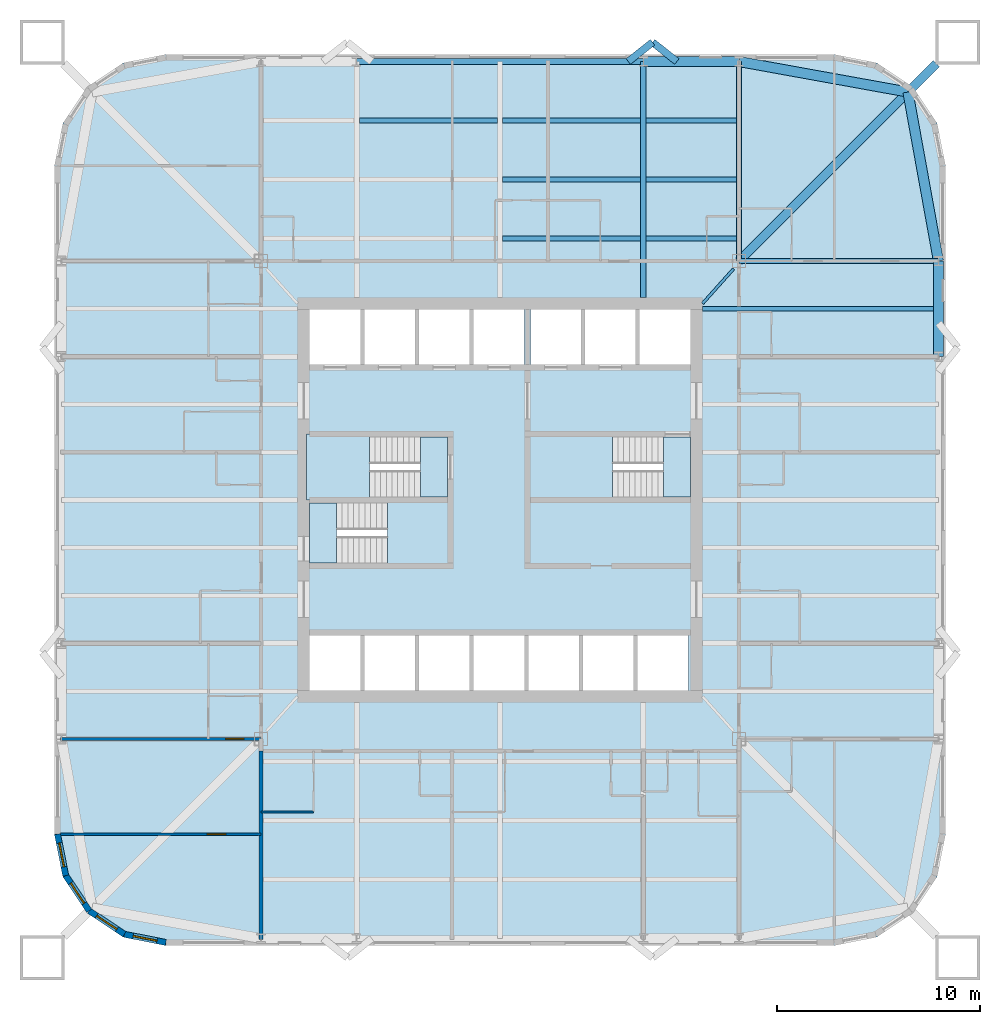
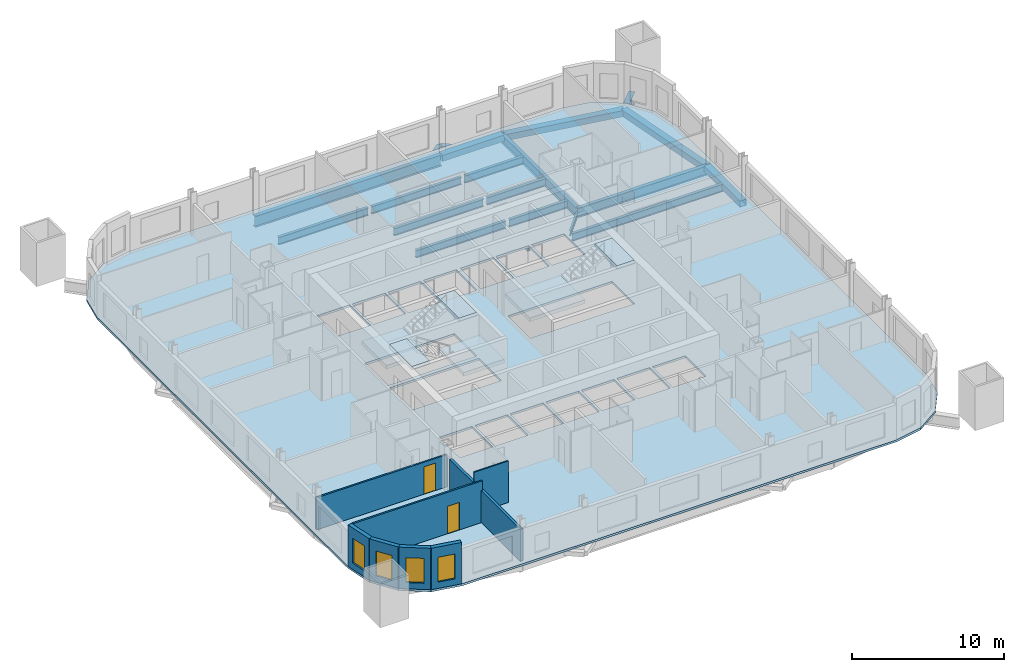
# One storey, part 2 of 9: 20 beams, 8 walls, 7 slabs, 4 windows, 2 doors, 6 openings, 3 elements without a shape of their own.
"""IFC4 building model written with IfcOpenShell, lengths in metres."""

import ifcopenshell
import ifcopenshell.guid

model = None  # the IFC model being written
_history = None  # IfcOwnerHistory: only IFC2X3 demands one
_inside = {}  # id of a spatial element -> (the spatial element, [elements in it])
_under = {}  # id of a project, library or spatial element -> (it, [spatial elements below it])
_declared = {}  # id of a project -> (the project, [libraries it declares])
_typed = {}  # id of a type object -> (the type object, [elements of that type])
_made_of = {}  # id of a material, layer set ... -> (it, [elements and type objects made of it])


def new_model(schema):
    """Start an empty IFC model of exactly this schema.

    Asked for "IFC4X3", IfcOpenShell would pick the latest addendum, in which some entities
    have other attributes; the version numbers below select the first issue.
    IFC2X3 requires an IfcOwnerHistory on every rooted entity: one is made here for all.
    """
    global model, _history
    if schema == "IFC4X3":
        model = ifcopenshell.file(schema_version=(4, 3, 0, 0))
    else:
        model = ifcopenshell.file(schema=schema)
    _inside.clear()
    _under.clear()
    _declared.clear()
    _typed.clear()
    _made_of.clear()
    _history = None
    if model.schema == "IFC2X3":
        org = make("IfcOrganization", Name="unknown")
        user = make(
            "IfcPersonAndOrganization",
            ThePerson=make("IfcPerson", FamilyName="unknown"),
            TheOrganization=org,
        )
        app = make(
            "IfcApplication",
            ApplicationDeveloper=org,
            Version="unknown",
            ApplicationFullName="unknown",
            ApplicationIdentifier="unknown",
        )
        _history = make(
            "IfcOwnerHistory",
            OwningUser=user,
            OwningApplication=app,
            ChangeAction="ADDED",
            CreationDate=0,
        )
    return model


def make(cls, **values):
    """One entity of the class cls with the attributes given. An attribute that is None is left unset."""
    return model.create_entity(
        cls, **{name: value for name, value in values.items() if value is not None}
    )


def rooted(cls, **values):
    """An entity with a GlobalId (a new one), such as an element, a storey or a relation."""
    return make(cls, GlobalId=ifcopenshell.guid.new(), OwnerHistory=_history, **values)


def si_unit(unit_type, name, prefix=None):
    """IfcSIUnit, for example si_unit("LENGTHUNIT", "METRE", prefix="MILLI")."""
    return make("IfcSIUnit", UnitType=unit_type, Prefix=prefix, Name=name)


def assignment(units):
    """IfcUnitAssignment: the units of a project."""
    return None if units is None else make("IfcUnitAssignment", Units=units)


def point(xyz):
    """IfcCartesianPoint."""
    return None if xyz is None else make("IfcCartesianPoint", Coordinates=xyz)


def direction(xyz):
    """IfcDirection."""
    return None if xyz is None else make("IfcDirection", DirectionRatios=xyz)


def frame(location, z_axis=None, x_axis=None):
    """IfcAxis2Placement3D, a coordinate frame: its origin and axes. An axis left out is left unset."""
    return make(
        "IfcAxis2Placement3D",
        Location=point(location),
        Axis=direction(z_axis),
        RefDirection=direction(x_axis),
    )


def frame_2d(location, x_axis=None):
    """IfcAxis2Placement2D, a coordinate frame in the plane: its origin and x axis."""
    return make(
        "IfcAxis2Placement2D", Location=point(location), RefDirection=direction(x_axis)
    )


def origin():
    """The frame at (0, 0, 0) with its axes left unset."""
    return frame((0.0, 0.0, 0.0))


def origin_2d():
    """The frame at (0, 0) in the plane with its x axis left unset."""
    return frame_2d((0.0, 0.0))


def place(relative_to, where):
    """IfcLocalPlacement: puts the frame where relative to a parent placement (None: the world)."""
    return make(
        "IfcLocalPlacement", PlacementRelTo=relative_to, RelativePlacement=where
    )


def context(
    kind, dimensions, precision=None, world=None, true_north=None, identifier=None
):
    """IfcGeometricRepresentationContext, for example the 3D "Model" context."""
    return make(
        "IfcGeometricRepresentationContext",
        ContextIdentifier=identifier,
        ContextType=kind,
        CoordinateSpaceDimension=dimensions,
        Precision=precision,
        WorldCoordinateSystem=world,
        TrueNorth=true_north,
    )


def subcontext(parent, identifier, kind, view, scale=None):
    """IfcGeometricRepresentationSubContext, for example "Body" below "Model"."""
    return make(
        "IfcGeometricRepresentationSubContext",
        ContextIdentifier=identifier,
        ContextType=kind,
        ParentContext=parent,
        TargetScale=scale,
        TargetView=view,
    )


def project(units=None, contexts=None):
    """IfcProject with its units and contexts."""
    return rooted(
        "IfcProject",
        Name="project",
        RepresentationContexts=contexts,
        UnitsInContext=assignment(units),
    )


def spatial(cls, under=None, at=None, **own):
    """A site, building, storey or space (cls), placed at a placement, below another one or the project."""
    s = rooted(cls, ObjectPlacement=at, **own)
    if under is not None:
        _under.setdefault(under.id(), (under, []))[1].append(s)
    return s


def polyline(points):
    """IfcPolyline through the points."""
    return make("IfcPolyline", Points=[point(p) for p in points])


def profile(cls, at=None, kind="AREA", **sizes):
    """A parametric profile (cls). Its sizes go by their IFC names, for example OverallWidth=200.0."""
    return make(cls, ProfileType=kind, Position=at, **sizes)


def rectangle(**sizes):
    """IfcRectangleProfileDef."""
    return profile("IfcRectangleProfileDef", **sizes)


def hollow_rectangle(**sizes):
    """IfcRectangleHollowProfileDef."""
    return profile("IfcRectangleHollowProfileDef", **sizes)


def i_section(**sizes):
    """IfcIShapeProfileDef."""
    return profile("IfcIShapeProfileDef", **sizes)


def outline(outer, holes=None, kind="AREA"):
    """IfcArbitraryClosedProfileDef: a profile drawn as a closed curve; with holes, ...WithVoids."""
    if holes is None:
        return make("IfcArbitraryClosedProfileDef", ProfileType=kind, OuterCurve=outer)
    return make(
        "IfcArbitraryProfileDefWithVoids",
        ProfileType=kind,
        OuterCurve=outer,
        InnerCurves=holes,
    )


def extrude(swept, where, along, depth):
    """IfcExtrudedAreaSolid: the profile swept, set in the frame where, extruded along a direction by depth."""
    return make(
        "IfcExtrudedAreaSolid",
        SweptArea=swept,
        Position=where,
        ExtrudedDirection=direction(along),
        Depth=depth,
    )


def shape(context_of_items, identifier, shape_type, items):
    """IfcShapeRepresentation: the items that make up one representation, for example the "Body"."""
    return make(
        "IfcShapeRepresentation",
        ContextOfItems=context_of_items,
        RepresentationIdentifier=identifier,
        RepresentationType=shape_type,
        Items=items,
    )


def material(Name=None, Category=None):
    """IfcMaterial."""
    return make("IfcMaterial", Name=Name, Category=Category)


def layer(
    of_material, thickness, ventilated=None, Name=None, Category=None, Priority=None
):
    """IfcMaterialLayer: one layer of a wall or slab, of a material (None: an air gap)."""
    return make(
        "IfcMaterialLayer",
        Material=of_material,
        LayerThickness=thickness,
        IsVentilated=ventilated,
        Name=Name,
        Category=Category,
        Priority=Priority,
    )


def layer_set(layers, Name=None):
    """IfcMaterialLayerSet."""
    return make("IfcMaterialLayerSet", MaterialLayers=layers, LayerSetName=Name)


def material_profile(
    of_material, cross_section, Name=None, Category=None, Priority=None
):
    """IfcMaterialProfile: a cross section and its material."""
    return make(
        "IfcMaterialProfile",
        Name=Name,
        Material=of_material,
        Profile=cross_section,
        Priority=Priority,
        Category=Category,
    )


def profile_set(profiles, Name=None, composite=None):
    """IfcMaterialProfileSet."""
    return make(
        "IfcMaterialProfileSet",
        Name=Name,
        MaterialProfiles=profiles,
        CompositeProfile=composite,
    )


def made_of(thing, what):
    """Note that an element or type object is made of a material, layer set ...; save() writes the relation."""
    if what is not None:
        _made_of.setdefault(what.id(), (what, []))[1].append(thing)
    return thing


def type_object(cls, material=None, **own):
    """A type object (cls), such as IfcWallType, which elements share."""
    return made_of(rooted(cls, **own), material)


def element(
    cls,
    number,
    at=None,
    inside=None,
    cuts=None,
    type_object=None,
    material=None,
    context=None,
    identifier="Body",
    shape_type=None,
    held_by="IfcProductDefinitionShape",
    body=None,
    shapes=None,
    **own,
):
    """One element of the class cls, such as IfcWall. Its Tag is "e" and its number.

    at: its placement. inside: the storey or other place that contains it. cuts: it is an
    opening in that element (IfcRelVoidsElement). A single representation is given by context,
    identifier, shape_type and body (its items); several are given by shapes. held_by: the class
    of the entity that holds the representations. save() writes the other relations.
    """
    e = rooted(cls, Tag="e%d" % number, ObjectPlacement=at, **own)
    if body is not None:
        shapes = [shape(context, identifier, shape_type, body)]
    if shapes is not None:
        e.Representation = make(held_by, Representations=shapes)
    if inside is not None:
        _inside.setdefault(inside.id(), (inside, []))[1].append(e)
    if cuts is not None:
        rooted(
            "IfcRelVoidsElement", RelatingBuildingElement=cuts, RelatedOpeningElement=e
        )
    if type_object is not None:
        _typed.setdefault(type_object.id(), (type_object, []))[1].append(e)
    return made_of(e, material)


def fill(opening, filler):
    """IfcRelFillsElement: the door or window that sits in an opening."""
    return rooted(
        "IfcRelFillsElement",
        RelatingOpeningElement=opening,
        RelatedBuildingElement=filler,
    )


def aggregate(whole, parts):
    """IfcRelAggregates: a whole, such as a stair, and the parts it consists of."""
    return rooted("IfcRelAggregates", RelatingObject=whole, RelatedObjects=parts)


def save(model, path):
    """Write the relations noted so far, then the file.

    IfcRelAggregates (storeys below a building ...), IfcRelContainedInSpatialStructure (elements
    in a storey), IfcRelDefinesByType, IfcRelAssociatesMaterial and IfcRelDeclares: one each for
    every whole, place, type object, material and project.
    """
    for whole, parts in _under.values():
        aggregate(whole, parts)
    for where, things in _inside.values():
        rooted(
            "IfcRelContainedInSpatialStructure",
            RelatedElements=things,
            RelatingStructure=where,
        )
    for kind, things in _typed.values():
        rooted("IfcRelDefinesByType", RelatedObjects=things, RelatingType=kind)
    for what, things in _made_of.values():
        rooted("IfcRelAssociatesMaterial", RelatedObjects=things, RelatingMaterial=what)
    for by, libraries in _declared.values():
        rooted("IfcRelDeclares", RelatingContext=by, RelatedDefinitions=libraries)
    model.write(path)


model = new_model("IFC4")

# Units and contexts
model_context = context("Model", 3, precision=1e-05, world=origin(), true_north=direction((0.0, 1.0)))
body_context = subcontext(model_context, "Body", "Model", "MODEL_VIEW")
ifc_project = project(units=[si_unit("LENGTHUNIT", "METRE"), si_unit("AREAUNIT", "SQUARE_METRE"), si_unit("VOLUMEUNIT", "CUBIC_METRE"), si_unit("PLANEANGLEUNIT", "RADIAN"), si_unit("MASSUNIT", "GRAM", prefix="KILO")], contexts=[model_context])

# Site, building, storey
site_placement = place(None, origin())
site = spatial("IfcSite", under=ifc_project, at=site_placement, CompositionType="ELEMENT")
building_placement = place(site_placement, origin())
building = spatial("IfcBuilding", under=site, at=building_placement, Name="Turquesa Mirador Hotel Tower", CompositionType="ELEMENT")
storey_placement = place(building_placement, frame((0.0, 0.0, 67.0)))
storey = spatial("IfcBuildingStorey", under=building, at=storey_placement, Name="L17", CompositionType="ELEMENT", Elevation=67.0)

# Beams
ifc_material_1 = material(Name="Steel ASTM A572 Grade 50", Category="steel")
ifc_material_profile_1 = material_profile(ifc_material_1, hollow_rectangle(XDim=0.5, YDim=0.5, WallThickness=0.01611328125, at=origin_2d()), Name="BOX500X500X16")
ifc_profile_set_1 = profile_set([ifc_material_profile_1], Name="Steel ASTM A572 Grade 50")
beam_type_1 = type_object("IfcBeamType", Name="BEAM BOX500X500X16", PredefinedType="BEAM", material=ifc_profile_set_1)
for number, where, z_axis, x_axis, name in (
    (1, (62.080078125, 66.64990234375, -0.419921875), (1.0, 0.0, 0.0), (0.0, 1.0, 0.0), "EB-L17-N-R"),
    (2, (76.64990234375, 52.080078125, -0.419921875), (0.0, 1.0, 0.0), (-1.0, 0.0, 0.0), "EB-L17-E-R"),
):
    element("IfcBeam", number, at=place(storey_placement, frame(where, z_axis=z_axis, x_axis=x_axis)), inside=storey, type_object=beam_type_1, Name=name, PredefinedType="BEAM", context=body_context, shape_type="SweptSolid", body=[
        extrude(hollow_rectangle(XDim=0.5, YDim=0.5, WallThickness=0.01611328125, at=origin_2d()), origin(), (0.0, 0.0, 1.0), 4.719970703125),
    ])
for number, where, z_axis, x_axis, name in (
    (3, (76.64990234375, 56.800048828125, -0.419921875), (-0.177932387818, 0.984042715214, 0.0), (-0.984042715214, -0.177932387818, 0.0), "KE-L17-1-0"),
    (4, (75.1416015625, 65.1416015625, -0.419921875), (-0.984042715214, 0.177932387818, 0.0), (-0.177932387818, -0.984042715214, 0.0), "KE-L17-1-1"),
):
    element("IfcBeam", number, at=place(storey_placement, frame(where, z_axis=z_axis, x_axis=x_axis)), inside=storey, type_object=beam_type_1, Name=name, PredefinedType="BEAM", context=body_context, shape_type="SweptSolid", body=[
        extrude(hollow_rectangle(XDim=0.5, YDim=0.5, WallThickness=0.01611328125, at=origin_2d()), origin(), (0.0, 0.0, 1.0), 8.476806640625),
    ])
ifc_material_2 = material(Name="Steel ASTM A992 Grade 50", Category="steel")
ifc_material_profile_2 = material_profile(ifc_material_2, i_section(OverallWidth=0.140380859375, OverallDepth=0.40380859375, WebThickness=0.007080078125, FlangeThickness=0.01123046875, at=origin_2d()), Name="W16X31")
ifc_profile_set_2 = profile_set([ifc_material_profile_2], Name="Steel ASTM A992 Grade 50")
beam_type_2 = type_object("IfcBeamType", Name="BEAM W16X31", PredefinedType="BEAM", material=ifc_profile_set_2)
beam_1_placement = place(storey_placement, frame((66.529541015625, 56.40966796875, -0.371826171875), z_axis=(-0.666745084392, -0.745285846129, 0.0), x_axis=(0.745285846129, -0.666745084392, 0.0)))
element("IfcBeam", 5, at=beam_1_placement, inside=storey, type_object=beam_type_2, Name="KT-L17-1", PredefinedType="BEAM", context=body_context, shape_type="SweptSolid", body=[
    extrude(i_section(OverallWidth=0.140380859375, OverallDepth=0.40380859375, WebThickness=0.007080078125, FlangeThickness=0.01123046875, at=origin_2d()), origin(), (0.0, 0.0, 1.0), 2.2939453125),
])
ifc_material_3 = material(Name="Steel ASTM A992 Grade 50", Category="steel")
ifc_material_profile_3 = material_profile(ifc_material_3, i_section(OverallWidth=0.228271484375, OverallDepth=0.607177734375, WebThickness=0.01123046875, FlangeThickness=0.017333984375, at=origin_2d()), Name="W24X76")
ifc_profile_set_3 = profile_set([ifc_material_profile_3], Name="Steel ASTM A992 Grade 50")
beam_type_3 = type_object("IfcBeamType", Name="BEAM W24X76", PredefinedType="BEAM", material=ifc_profile_set_3)
beam_2_placement = place(storey_placement, frame((55.13330078125, 57.912109375, -0.4736328125), z_axis=(1.0, 0.0, 0.0), x_axis=(0.0, 1.0, 0.0)))
element("IfcBeam", 6, at=beam_2_placement, inside=storey, type_object=beam_type_3, Name="IB-L17-N-1-2", PredefinedType="BEAM", context=body_context, shape_type="SweptSolid", body=[
    extrude(i_section(OverallWidth=0.228271484375, OverallDepth=0.607177734375, WebThickness=0.01123046875, FlangeThickness=0.017333984375, at=origin_2d()), origin(), (0.0, 0.0, 1.0), 6.813232421875),
])
beam_3_placement = place(storey_placement, frame((62.21337890625, 57.912109375, -0.4736328125), z_axis=(1.0, 0.0, 0.0), x_axis=(0.0, 1.0, 0.0)))
element("IfcBeam", 7, at=beam_3_placement, inside=storey, type_object=beam_type_3, Name="IB-L17-N-1-3", PredefinedType="BEAM", context=body_context, shape_type="SweptSolid", body=[
    extrude(i_section(OverallWidth=0.228271484375, OverallDepth=0.607177734375, WebThickness=0.01123046875, FlangeThickness=0.017333984375, at=origin_2d()), origin(), (0.0, 0.0, 1.0), 4.453369140625),
])
beam_4_placement = place(storey_placement, frame((55.13330078125, 60.824951171875, -0.4736328125), z_axis=(1.0, 0.0, 0.0), x_axis=(0.0, 1.0, 0.0)))
element("IfcBeam", 8, at=beam_4_placement, inside=storey, type_object=beam_type_3, Name="IB-L17-N-2-2", PredefinedType="BEAM", context=body_context, shape_type="SweptSolid", body=[
    extrude(i_section(OverallWidth=0.228271484375, OverallDepth=0.607177734375, WebThickness=0.01123046875, FlangeThickness=0.017333984375, at=origin_2d()), origin(), (0.0, 0.0, 1.0), 6.813232421875),
])
beam_5_placement = place(storey_placement, frame((62.21337890625, 60.824951171875, -0.4736328125), z_axis=(1.0, 0.0, 0.0), x_axis=(0.0, 1.0, 0.0)))
element("IfcBeam", 9, at=beam_5_placement, inside=storey, type_object=beam_type_3, Name="IB-L17-N-2-3", PredefinedType="BEAM", context=body_context, shape_type="SweptSolid", body=[
    extrude(i_section(OverallWidth=0.228271484375, OverallDepth=0.607177734375, WebThickness=0.01123046875, FlangeThickness=0.017333984375, at=origin_2d()), origin(), (0.0, 0.0, 1.0), 4.453369140625),
])
for number, where, z_axis, x_axis, name in (
    (10, (48.053466796875, 63.737060546875, -0.4736328125), (1.0, 0.0, 0.0), (0.0, 1.0, 0.0), "IB-L17-N-3-1"),
    (11, (55.13330078125, 63.737060546875, -0.4736328125), (1.0, 0.0, 0.0), (0.0, 1.0, 0.0), "IB-L17-N-3-2"),
):
    element("IfcBeam", number, at=place(storey_placement, frame(where, z_axis=z_axis, x_axis=x_axis)), inside=storey, type_object=beam_type_3, Name=name, PredefinedType="BEAM", context=body_context, shape_type="SweptSolid", body=[
        extrude(i_section(OverallWidth=0.228271484375, OverallDepth=0.607177734375, WebThickness=0.01123046875, FlangeThickness=0.017333984375, at=origin_2d()), origin(), (0.0, 0.0, 1.0), 6.813232421875),
    ])
beam_6_placement = place(storey_placement, frame((62.21337890625, 63.737060546875, -0.4736328125), z_axis=(1.0, 0.0, 0.0), x_axis=(0.0, 1.0, 0.0)))
element("IfcBeam", 12, at=beam_6_placement, inside=storey, type_object=beam_type_3, Name="IB-L17-N-3-3", PredefinedType="BEAM", context=body_context, shape_type="SweptSolid", body=[
    extrude(i_section(OverallWidth=0.228271484375, OverallDepth=0.607177734375, WebThickness=0.01123046875, FlangeThickness=0.017333984375, at=origin_2d()), origin(), (0.0, 0.0, 1.0), 4.453369140625),
])
beam_7_placement = place(storey_placement, frame((76.64990234375, 54.43994140625, -0.4736328125), z_axis=(-1.0, 0.0, 0.0), x_axis=(0.0, -1.0, 0.0)))
element("IfcBeam", 13, at=beam_7_placement, inside=storey, type_object=beam_type_3, Name="BM-L17-E-+9.44", PredefinedType="BEAM", context=body_context, shape_type="SweptSolid", body=[
    extrude(i_section(OverallWidth=0.228271484375, OverallDepth=0.607177734375, WebThickness=0.01123046875, FlangeThickness=0.017333984375, at=origin_2d()), origin(), (0.0, 0.0, 1.0), 11.64990234375),
])
ifc_material_4 = material(Name="Steel ASTM A992 Grade 50", Category="steel")
ifc_material_profile_4 = material_profile(ifc_material_4, i_section(OverallWidth=0.2666015625, OverallDepth=0.7568359375, WebThickness=0.013916015625, FlangeThickness=0.019287109375, at=origin_2d()), Name="W30X108")
ifc_profile_set_4 = profile_set([ifc_material_profile_4], Name="Steel ASTM A992 Grade 50")
beam_type_4 = type_object("IfcBeamType", Name="BEAM W30X108", PredefinedType="BEAM", material=ifc_profile_set_4)
beam_8_placement = place(storey_placement, frame((62.080078125, 66.64990234375, -0.54833984375), z_axis=(0.0, -1.0, 0.0), x_axis=(1.0, 0.0, 0.0)))
element("IfcBeam", 14, at=beam_8_placement, inside=storey, type_object=beam_type_4, Name="GD-L17-N-+7.08", PredefinedType="BEAM", context=body_context, shape_type="SweptSolid", body=[
    extrude(i_section(OverallWidth=0.2666015625, OverallDepth=0.7568359375, WebThickness=0.013916015625, FlangeThickness=0.019287109375, at=origin_2d()), origin(), (0.0, 0.0, 1.0), 11.64990234375),
])
for number, where, z_axis, x_axis, name in (
    (15, (66.800048828125, 66.64990234375, -0.54833984375), (0.0, -1.0, 0.0), (1.0, 0.0, 0.0), "GK-L17-N-+11.80"),
    (16, (76.64990234375, 56.800048828125, -0.54833984375), (-1.0, 0.0, 0.0), (0.0, -1.0, 0.0), "GK-L17-E-+11.80"),
):
    element("IfcBeam", number, at=place(storey_placement, frame(where, z_axis=z_axis, x_axis=x_axis)), inside=storey, type_object=beam_type_4, Name=name, PredefinedType="BEAM", context=body_context, shape_type="SweptSolid", body=[
        extrude(i_section(OverallWidth=0.2666015625, OverallDepth=0.7568359375, WebThickness=0.013916015625, FlangeThickness=0.019287109375, at=origin_2d()), origin(), (0.0, 0.0, 1.0), 9.849853515625),
    ])
ifc_material_5 = material(Name="Steel ASTM A992 Grade 50", Category="steel")
ifc_material_profile_5 = material_profile(ifc_material_5, i_section(OverallWidth=0.3046875, OverallDepth=0.911865234375, WebThickness=0.015869140625, FlangeThickness=0.02392578125, at=origin_2d()), Name="W36X150")
ifc_profile_set_5 = profile_set([ifc_material_profile_5], Name="Steel ASTM A992 Grade 50")
beam_type_5 = type_object("IfcBeamType", Name="BEAM W36X150", PredefinedType="BEAM", material=ifc_profile_set_5)
beam_9_placement = place(storey_placement, frame((47.919921875, 66.64990234375, -0.6259765625), z_axis=(1.0, 0.0, 0.0), x_axis=(0.0, 1.0, 0.0)))
element("IfcBeam", 17, at=beam_9_placement, inside=storey, type_object=beam_type_5, Name="EB-L17-N-C", PredefinedType="BEAM", context=body_context, shape_type="SweptSolid", body=[
    extrude(i_section(OverallWidth=0.3046875, OverallDepth=0.911865234375, WebThickness=0.015869140625, FlangeThickness=0.02392578125, at=origin_2d()), origin(), (0.0, 0.0, 1.0), 14.16015625),
])
ifc_material_6 = material(Name="Steel ASTM A992 Grade 50", Category="steel")
ifc_material_profile_6 = material_profile(ifc_material_6, i_section(OverallWidth=0.419189453125, OverallDepth=0.927001953125, WebThickness=0.019287109375, FlangeThickness=0.031982421875, at=origin_2d()), Name="W36X231")
ifc_profile_set_6 = profile_set([ifc_material_profile_6], Name="Steel ASTM A992 Grade 50")
beam_type_6 = type_object("IfcBeamType", Name="BEAM W36X231", PredefinedType="BEAM", material=ifc_profile_set_6)
beam_10_placement = place(storey_placement, frame((66.800048828125, 56.800048828125, -0.633544921875), z_axis=(0.707106781187, 0.707106781187, 0.0), x_axis=(-0.707106781187, 0.707106781187, 0.0)))
element("IfcBeam", 18, at=beam_10_placement, inside=storey, type_object=beam_type_6, Name="KD-L17-1", PredefinedType="BEAM", context=body_context, shape_type="SweptSolid", body=[
    extrude(i_section(OverallWidth=0.419189453125, OverallDepth=0.927001953125, WebThickness=0.019287109375, FlangeThickness=0.031982421875, at=origin_2d()), origin(), (0.0, 0.0, 1.0), 13.78857421875),
])
ifc_material_7 = material(Name="Steel ASTM A500 Grade C", Category="steel")
ifc_material_profile_7 = material_profile(ifc_material_7, hollow_rectangle(XDim=0.355712890625, YDim=0.355712890625, WallThickness=0.0146484375, at=origin_2d()), Name="HSS14X14X5/8")
ifc_profile_set_7 = profile_set([ifc_material_profile_7], Name="Steel ASTM A500 Grade C")
beam_type_7 = type_object("IfcBeamType", Name="BRACE STRUT HSS14X14X5/8", PredefinedType="BEAM", material=ifc_profile_set_7)
beam_11_placement = place(storey_placement, frame((62.533447265625, 67.60009765625, -0.347900390625), z_axis=(-0.784032888399, -0.620719284306, 0.0), x_axis=(0.620719284306, -0.784032888399, 0.0)))
element("IfcBeam", 19, at=beam_11_placement, inside=storey, type_object=beam_type_7, Name="Brace strut", PredefinedType="BEAM", context=body_context, shape_type="SweptSolid", body=[
    extrude(hollow_rectangle(XDim=0.355712890625, YDim=0.355712890625, WallThickness=0.0146484375, at=origin_2d()), origin(), (0.0, 0.0, 1.0), 1.53076171875),
])
beam_12_placement = place(storey_placement, frame((62.533447265625, 67.60009765625, -0.347900390625), z_axis=(0.783971428146, -0.620796907089, 0.0), x_axis=(0.620796907089, 0.783971428146, 0.0)))
element("IfcBeam", 20, at=beam_12_placement, inside=storey, type_object=beam_type_7, Name="Brace strut", PredefinedType="BEAM", context=body_context, shape_type="SweptSolid", body=[
    extrude(hollow_rectangle(XDim=0.355712890625, YDim=0.355712890625, WallThickness=0.0146484375, at=origin_2d()), origin(), (0.0, 0.0, 1.0), 1.530517578125),
])

# Slab
ifc_material_8 = material(Name="Concrete C28/35", Category="concrete")
ifc_layer_1 = layer(ifc_material_8, 0.169921875)
ifc_layer_set_1 = layer_set([ifc_layer_1], Name="COMPOSITE FLOOR SLAB 170")
slab_type_1 = type_object("IfcSlabType", Name="COMPOSITE FLOOR SLAB 170", PredefinedType="FLOOR", material=ifc_layer_set_1)
slab_1_placement = place(storey_placement, frame((0.0, 0.0, -0.169921875)))
element("IfcSlab", 21, at=slab_1_placement, inside=storey, type_object=slab_type_1, Name="Floor slab L17", PredefinedType="FLOOR", context=body_context, shape_type="SweptSolid", body=[
    extrude(outline(polyline([(71.5, 23.0), (73.604736328125, 23.418701171875), (75.38916015625, 24.61083984375), (76.581298828125, 26.395263671875), (77.0, 28.5), (77.0, 61.5), (76.581298828125, 63.604736328125), (75.38916015625, 65.38916015625), (73.604736328125, 66.581298828125), (71.5, 67.0), (38.5, 67.0), (36.395263671875, 66.581298828125), (34.61083984375, 65.38916015625), (33.418701171875, 63.604736328125), (33.0, 61.5), (33.0, 28.5), (33.418701171875, 26.395263671875), (34.61083984375, 24.61083984375), (36.395263671875, 23.418701171875), (38.5, 23.0), (71.5, 23.0)]), holes=[polyline([(45.60009765625, 51.699951171875), (48.10009765625, 51.699951171875), (48.10009765625, 54.39990234375), (45.60009765625, 54.39990234375), (45.60009765625, 51.699951171875)]), polyline([(48.300048828125, 51.699951171875), (50.800048828125, 51.699951171875), (50.800048828125, 54.39990234375), (48.300048828125, 54.39990234375), (48.300048828125, 51.699951171875)]), polyline([(51.0, 51.699951171875), (53.5, 51.699951171875), (53.5, 54.39990234375), (51.0, 54.39990234375), (51.0, 51.699951171875)]), polyline([(53.699951171875, 51.699951171875), (56.199951171875, 51.699951171875), (56.199951171875, 54.39990234375), (53.699951171875, 54.39990234375), (53.699951171875, 51.699951171875)]), polyline([(56.5, 51.699951171875), (59.0, 51.699951171875), (59.0, 54.39990234375), (56.5, 54.39990234375), (56.5, 51.699951171875)]), polyline([(59.199951171875, 51.699951171875), (61.699951171875, 51.699951171875), (61.699951171875, 54.39990234375), (59.199951171875, 54.39990234375), (59.199951171875, 51.699951171875)]), polyline([(45.60009765625, 35.60009765625), (48.10009765625, 35.60009765625), (48.10009765625, 38.300048828125), (45.60009765625, 38.300048828125), (45.60009765625, 35.60009765625)]), polyline([(48.300048828125, 35.60009765625), (50.800048828125, 35.60009765625), (50.800048828125, 38.300048828125), (48.300048828125, 38.300048828125), (48.300048828125, 35.60009765625)]), polyline([(51.0, 35.60009765625), (53.5, 35.60009765625), (53.5, 38.300048828125), (51.0, 38.300048828125), (51.0, 35.60009765625)]), polyline([(53.699951171875, 35.60009765625), (56.199951171875, 35.60009765625), (56.199951171875, 38.300048828125), (53.699951171875, 38.300048828125), (53.699951171875, 35.60009765625)]), polyline([(56.39990234375, 35.60009765625), (58.89990234375, 35.60009765625), (58.89990234375, 38.300048828125), (56.39990234375, 38.300048828125), (56.39990234375, 35.60009765625)]), polyline([(59.10009765625, 35.60009765625), (61.60009765625, 35.60009765625), (61.60009765625, 38.300048828125), (59.10009765625, 38.300048828125), (59.10009765625, 35.60009765625)]), polyline([(61.800048828125, 35.60009765625), (64.300048828125, 35.60009765625), (64.300048828125, 38.300048828125), (61.800048828125, 38.300048828125), (61.800048828125, 35.60009765625)]), polyline([(45.60009765625, 45.14990234375), (52.39990234375, 45.14990234375), (52.39990234375, 48.10009765625), (45.60009765625, 48.10009765625), (45.60009765625, 45.14990234375)]), polyline([(45.60009765625, 41.89990234375), (52.39990234375, 41.89990234375), (52.39990234375, 44.85009765625), (45.60009765625, 44.85009765625), (45.60009765625, 41.89990234375)]), polyline([(56.5, 45.14990234375), (64.39990234375, 45.14990234375), (64.39990234375, 48.10009765625), (56.5, 48.10009765625), (56.5, 45.14990234375)]), polyline([(61.89990234375, 51.699951171875), (64.39990234375, 51.699951171875), (64.39990234375, 54.39990234375), (61.89990234375, 54.39990234375), (61.89990234375, 51.699951171875)])]), origin(), (0.0, 0.0, 1.0), 0.169921875),
])

# Stair, slabs
ifc_material_9 = material(Name="Concrete C35/45", Category="concrete")
stair_type = type_object("IfcStairType", Name="ESCAPE STAIR CORE", PredefinedType="HALF_TURN_STAIR", material=ifc_material_9)
stair_1_placement = place(storey_placement, origin())
stair_1 = element("IfcStair", 22, at=stair_1_placement, inside=storey, type_object=stair_type, Name="Stair ST1 L17 to L18", PredefinedType="HALF_TURN_STAIR")
ifc_material_10 = material(Name="Concrete C35/45", Category="concrete")
ifc_layer_2 = layer(ifc_material_10, 0.300048828125)
ifc_layer_set_2 = layer_set([ifc_layer_2], Name="STAIR LANDING 300")
slab_type_2 = type_object("IfcSlabType", Name="STAIR LANDING 300", PredefinedType="LANDING", material=ifc_layer_set_2)
slab_2_placement = place(storey_placement, frame((0.0, 0.0, 1.449951171875)))
slab_2 = element("IfcSlab", 23, at=slab_2_placement, type_object=slab_type_2, Name="ST1 landing 1", PredefinedType="LANDING", context=body_context, shape_type="SweptSolid", body=[
    extrude(outline(polyline([(45.449951171875, 45.0), (48.550048828125, 45.0), (48.550048828125, 48.25), (45.449951171875, 48.25), (45.449951171875, 45.0)])), origin(), (0.0, 0.0, 1.0), 0.300048828125),
])
slab_3_placement = place(storey_placement, frame((0.0, 0.0, 3.199951171875)))
slab_3 = element("IfcSlab", 24, at=slab_3_placement, type_object=slab_type_2, Name="ST1 landing 2", PredefinedType="LANDING", context=body_context, shape_type="SweptSolid", body=[
    extrude(outline(polyline([(51.070068359375, 45.14990234375), (52.39990234375, 45.14990234375), (52.39990234375, 48.10009765625), (51.070068359375, 48.10009765625), (51.070068359375, 45.14990234375)])), origin(), (0.0, 0.0, 1.0), 0.300048828125),
])
aggregate(stair_1, [slab_2, slab_3])

stair_2_placement = place(storey_placement, origin())
stair_2 = element("IfcStair", 25, at=stair_2_placement, inside=storey, type_object=stair_type, Name="Stair ST2 L17 to L18", PredefinedType="HALF_TURN_STAIR")
slab_4_placement = place(storey_placement, frame((0.0, 0.0, 1.449951171875)))
slab_4 = element("IfcSlab", 26, at=slab_4_placement, type_object=slab_type_2, Name="ST2 landing 1", PredefinedType="LANDING", context=body_context, shape_type="SweptSolid", body=[
    extrude(outline(polyline([(52.550048828125, 45.0), (49.449951171875, 45.0), (49.449951171875, 41.75), (52.550048828125, 41.75), (52.550048828125, 45.0)])), origin(), (0.0, 0.0, 1.0), 0.300048828125),
])
slab_5_placement = place(storey_placement, frame((0.0, 0.0, 3.199951171875)))
slab_5 = element("IfcSlab", 27, at=slab_5_placement, type_object=slab_type_2, Name="ST2 landing 2", PredefinedType="LANDING", context=body_context, shape_type="SweptSolid", body=[
    extrude(outline(polyline([(46.929931640625, 44.85009765625), (45.60009765625, 44.85009765625), (45.60009765625, 41.89990234375), (46.929931640625, 41.89990234375), (46.929931640625, 44.85009765625)])), origin(), (0.0, 0.0, 1.0), 0.300048828125),
])
aggregate(stair_2, [slab_4, slab_5])

stair_3_placement = place(storey_placement, origin())
stair_3 = element("IfcStair", 28, at=stair_3_placement, inside=storey, type_object=stair_type, Name="Stair ST3 L17 to L18", PredefinedType="HALF_TURN_STAIR")
slab_6_placement = place(storey_placement, frame((0.0, 0.0, 1.449951171875)))
slab_6 = element("IfcSlab", 29, at=slab_6_placement, type_object=slab_type_2, Name="ST3 landing 1", PredefinedType="LANDING", context=body_context, shape_type="SweptSolid", body=[
    extrude(outline(polyline([(56.35009765625, 45.0), (60.550048828125, 45.0), (60.550048828125, 48.25), (56.35009765625, 48.25), (56.35009765625, 45.0)])), origin(), (0.0, 0.0, 1.0), 0.300048828125),
])
slab_7_placement = place(storey_placement, frame((0.0, 0.0, 3.199951171875)))
slab_7 = element("IfcSlab", 30, at=slab_7_placement, type_object=slab_type_2, Name="ST3 landing 2", PredefinedType="LANDING", context=body_context, shape_type="SweptSolid", body=[
    extrude(outline(polyline([(63.070068359375, 45.14990234375), (64.39990234375, 45.14990234375), (64.39990234375, 48.10009765625), (63.070068359375, 48.10009765625), (63.070068359375, 45.14990234375)])), origin(), (0.0, 0.0, 1.0), 0.300048828125),
])
aggregate(stair_3, [slab_6, slab_7])

# Wall
ifc_material_11 = material(Name="Gypsum board on steel studs", Category="steel")
ifc_layer_3 = layer(ifc_material_11, 0.10009765625)
ifc_layer_set_3 = layer_set([ifc_layer_3], Name="BATHROOM WALL 100")
wall_type_1 = type_object("IfcWallType", Name="BATHROOM WALL 100", PredefinedType="PARTITIONING", material=ifc_layer_set_3)
wall_1_placement = place(storey_placement, frame((43.199951171875, 29.60009765625, 0.0), z_axis=(0.0, 0.0, 1.0), x_axis=(1.0, 0.0, 0.0)))
element("IfcWall", 31, at=wall_1_placement, inside=storey, type_object=wall_type_1, Name="Partition L17 009", PredefinedType="PARTITIONING", context=body_context, shape_type="SweptSolid", body=[
    extrude(rectangle(XDim=2.60009765625, YDim=0.10009765625, at=frame_2d((1.300048828125, 0.0))), origin(), (0.0, 0.0, 1.0), 3.330078125),
])

# Wall, opening, window
ifc_material_12 = material(Name="Limestone cladding on concrete block", Category="masonry")
ifc_layer_4 = layer(ifc_material_12, 0.300048828125)
ifc_layer_set_4 = layer_set([ifc_layer_4], Name="FACADE WALL 300 STONE SCREEN")
wall_type_2 = type_object("IfcWallType", Name="FACADE WALL 300 STONE SCREEN", PredefinedType="SOLIDWALL", material=ifc_layer_set_4)
wall_2_placement = place(storey_placement, frame((33.14990234375, 28.5, 0.0), z_axis=(0.0, 0.0, 1.0), x_axis=(0.195081421501, -0.980787050784, 0.0)))
wall_2 = element("IfcWall", 32, at=wall_2_placement, inside=storey, type_object=wall_type_2, Name="Facade wall L17 15", PredefinedType="SOLIDWALL", context=body_context, shape_type="SweptSolid", body=[
    extrude(rectangle(XDim=2.08740234375, YDim=0.300048828125, at=frame_2d((1.043701171875, 0.0))), origin(), (0.0, 0.0, 1.0), 3.330078125),
])
opening_1_placement = place(wall_2_placement, frame((0.443603515625, 0.0, 0.5)))
opening_1 = element("IfcOpeningElement", 33, at=opening_1_placement, cuts=wall_2, Name="Opening WN4", PredefinedType="OPENING", context=body_context, shape_type="SweptSolid", body=[
    extrude(rectangle(XDim=1.199951171875, YDim=2.0, at=frame_2d((0.60009765625, 1.0))), frame((0.0, 0.159912109375, 0.0), z_axis=(0.0, -1.0, 0.0), x_axis=(1.0, 0.0, 0.0)), (0.0, 0.0, 1.0), 0.320068359375),
])
ifc_material_13 = material(Name="Ceramic-fritted laminated glass", Category="glass")
window_type = type_object("IfcWindowType", Name="FRITTED CORNER WINDOW 1200X2000", PartitioningType="DOUBLE_PANEL_HORIZONTAL", PredefinedType="WINDOW", material=ifc_material_13)
window_1_placement = place(opening_1_placement, origin())
window_1 = element("IfcWindow", 34, at=window_1_placement, inside=storey, type_object=window_type, Name="Window L17", OverallHeight=2.0, OverallWidth=1.199951171875, PartitioningType="SINGLE_PANEL", PredefinedType="WINDOW", context=body_context, shape_type="SweptSolid", body=[
    extrude(rectangle(XDim=1.199951171875, YDim=2.0, at=frame_2d((0.60009765625, 1.0))), frame((0.0, 0.030029296875, 0.0), z_axis=(0.0, -1.0, 0.0), x_axis=(1.0, 0.0, 0.0)), (0.0, 0.0, 1.0), 0.06005859375),
])
fill(opening_1, window_1)

wall_3_placement = place(storey_placement, frame((33.55712890625, 26.45263671875, 0.0), z_axis=(0.0, 0.0, 1.0), x_axis=(0.555644460423, -0.831420010345, 0.0)))
wall_3 = element("IfcWall", 35, at=wall_3_placement, inside=storey, type_object=wall_type_2, Name="Facade wall L17 16", PredefinedType="SOLIDWALL", context=body_context, shape_type="SweptSolid", body=[
    extrude(rectangle(XDim=2.08740234375, YDim=0.300048828125, at=frame_2d((1.043701171875, 0.0))), origin(), (0.0, 0.0, 1.0), 3.330078125),
])
opening_2_placement = place(wall_3_placement, frame((0.443603515625, 0.0, 0.5)))
opening_2 = element("IfcOpeningElement", 36, at=opening_2_placement, cuts=wall_3, Name="Opening WN4", PredefinedType="OPENING", context=body_context, shape_type="SweptSolid", body=[
    extrude(rectangle(XDim=1.199951171875, YDim=2.0, at=frame_2d((0.60009765625, 1.0))), frame((0.0, 0.159912109375, 0.0), z_axis=(0.0, -1.0, 0.0), x_axis=(1.0, 0.0, 0.0)), (0.0, 0.0, 1.0), 0.320068359375),
])
window_2_placement = place(opening_2_placement, origin())
window_2 = element("IfcWindow", 37, at=window_2_placement, inside=storey, type_object=window_type, Name="Window L17", OverallHeight=2.0, OverallWidth=1.199951171875, PartitioningType="SINGLE_PANEL", PredefinedType="WINDOW", context=body_context, shape_type="SweptSolid", body=[
    extrude(rectangle(XDim=1.199951171875, YDim=2.0, at=frame_2d((0.60009765625, 1.0))), frame((0.0, 0.030029296875, 0.0), z_axis=(0.0, -1.0, 0.0), x_axis=(1.0, 0.0, 0.0)), (0.0, 0.0, 1.0), 0.06005859375),
])
fill(opening_2, window_2)

wall_4_placement = place(storey_placement, frame((34.717041015625, 24.717041015625, 0.0), z_axis=(0.0, 0.0, 1.0), x_axis=(0.831420010345, -0.555644460423, 0.0)))
wall_4 = element("IfcWall", 38, at=wall_4_placement, inside=storey, type_object=wall_type_2, Name="Facade wall L17 17", PredefinedType="SOLIDWALL", context=body_context, shape_type="SweptSolid", body=[
    extrude(rectangle(XDim=2.08740234375, YDim=0.300048828125, at=frame_2d((1.043701171875, 0.0))), origin(), (0.0, 0.0, 1.0), 3.330078125),
])
opening_3_placement = place(wall_4_placement, frame((0.443603515625, 0.0, 0.5)))
opening_3 = element("IfcOpeningElement", 39, at=opening_3_placement, cuts=wall_4, Name="Opening WN4", PredefinedType="OPENING", context=body_context, shape_type="SweptSolid", body=[
    extrude(rectangle(XDim=1.199951171875, YDim=2.0, at=frame_2d((0.60009765625, 1.0))), frame((0.0, 0.159912109375, 0.0), z_axis=(0.0, -1.0, 0.0), x_axis=(1.0, 0.0, 0.0)), (0.0, 0.0, 1.0), 0.320068359375),
])
window_3_placement = place(opening_3_placement, origin())
window_3 = element("IfcWindow", 40, at=window_3_placement, inside=storey, type_object=window_type, Name="Window L17", OverallHeight=2.0, OverallWidth=1.199951171875, PartitioningType="SINGLE_PANEL", PredefinedType="WINDOW", context=body_context, shape_type="SweptSolid", body=[
    extrude(rectangle(XDim=1.199951171875, YDim=2.0, at=frame_2d((0.60009765625, 1.0))), frame((0.0, 0.030029296875, 0.0), z_axis=(0.0, -1.0, 0.0), x_axis=(1.0, 0.0, 0.0)), (0.0, 0.0, 1.0), 0.06005859375),
])
fill(opening_3, window_3)

wall_5_placement = place(storey_placement, frame((36.45263671875, 23.55712890625, 0.0), z_axis=(0.0, 0.0, 1.0), x_axis=(0.980787050784, -0.195081421501, 0.0)))
wall_5 = element("IfcWall", 41, at=wall_5_placement, inside=storey, type_object=wall_type_2, Name="Facade wall L17 18", PredefinedType="SOLIDWALL", context=body_context, shape_type="SweptSolid", body=[
    extrude(rectangle(XDim=2.08740234375, YDim=0.300048828125, at=frame_2d((1.043701171875, 0.0))), origin(), (0.0, 0.0, 1.0), 3.330078125),
])
opening_4_placement = place(wall_5_placement, frame((0.443603515625, 0.0, 0.5)))
opening_4 = element("IfcOpeningElement", 42, at=opening_4_placement, cuts=wall_5, Name="Opening WN4", PredefinedType="OPENING", context=body_context, shape_type="SweptSolid", body=[
    extrude(rectangle(XDim=1.199951171875, YDim=2.0, at=frame_2d((0.60009765625, 1.0))), frame((0.0, 0.159912109375, 0.0), z_axis=(0.0, -1.0, 0.0), x_axis=(1.0, 0.0, 0.0)), (0.0, 0.0, 1.0), 0.320068359375),
])
window_4_placement = place(opening_4_placement, origin())
window_4 = element("IfcWindow", 43, at=window_4_placement, inside=storey, type_object=window_type, Name="Window L17", OverallHeight=2.0, OverallWidth=1.199951171875, PartitioningType="SINGLE_PANEL", PredefinedType="WINDOW", context=body_context, shape_type="SweptSolid", body=[
    extrude(rectangle(XDim=1.199951171875, YDim=2.0, at=frame_2d((0.60009765625, 1.0))), frame((0.0, 0.030029296875, 0.0), z_axis=(0.0, -1.0, 0.0), x_axis=(1.0, 0.0, 0.0)), (0.0, 0.0, 1.0), 0.06005859375),
])
fill(opening_4, window_4)

# Wall
ifc_material_14 = material(Name="Fire-rated gypsum board on steel studs", Category="steel")
ifc_layer_5 = layer(ifc_material_14, 0.199951171875)
ifc_layer_set_5 = layer_set([ifc_layer_5], Name="PARTY WALL 200")
wall_type_3 = type_object("IfcWallType", Name="PARTY WALL 200", PredefinedType="PARTITIONING", material=ifc_layer_set_5)
wall_6_placement = place(storey_placement, frame((43.199951171875, 23.300048828125, 0.0), z_axis=(0.0, 0.0, 1.0), x_axis=(0.0, 1.0, 0.0)))
element("IfcWall", 44, at=wall_6_placement, inside=storey, type_object=wall_type_3, Name="Partition L17 042", PredefinedType="PARTITIONING", context=body_context, shape_type="SweptSolid", body=[
    extrude(rectangle(XDim=9.300048828125, YDim=0.199951171875, at=frame_2d((4.64990234375, 0.0))), origin(), (0.0, 0.0, 1.0), 2.572998046875),
])

# Wall, opening, door
ifc_material_15 = material(Name="Acoustic gypsum board on steel studs", Category="steel")
ifc_layer_6 = layer(ifc_material_15, 0.125)
ifc_layer_set_6 = layer_set([ifc_layer_6], Name="SUITE PARTITION 125")
wall_type_4 = type_object("IfcWallType", Name="SUITE PARTITION 125", PredefinedType="PARTITIONING", material=ifc_layer_set_6)
wall_7_placement = place(storey_placement, frame((33.300048828125, 33.199951171875, 0.0), z_axis=(0.0, 0.0, 1.0), x_axis=(1.0, 0.0, 0.0)))
wall_7 = element("IfcWall", 45, at=wall_7_placement, inside=storey, type_object=wall_type_4, Name="Partition L17 002", PredefinedType="PARTITIONING", context=body_context, shape_type="SweptSolid", body=[
    extrude(rectangle(XDim=9.89990234375, YDim=0.125, at=frame_2d((4.949951171875, 0.0))), origin(), (0.0, 0.0, 1.0), 2.572998046875),
])
opening_5_placement = place(wall_7_placement, frame((8.14990234375, 0.0, 0.0)))
opening_5 = element("IfcOpeningElement", 46, at=opening_5_placement, cuts=wall_7, Name="Opening D17", PredefinedType="OPENING", context=body_context, shape_type="SweptSolid", body=[
    extrude(rectangle(XDim=0.89990234375, YDim=2.199951171875, at=frame_2d((0.449951171875, 1.10009765625))), frame((0.0, 0.072509765625, 0.0), z_axis=(0.0, -1.0, 0.0), x_axis=(1.0, 0.0, 0.0)), (0.0, 0.0, 1.0), 0.14501953125),
])
ifc_material_16 = material(Name="Timber veneered door", Category="wood")
door_type = type_object("IfcDoorType", Name="DOOR 900X2200 SUITE INTERNAL", OperationType="SINGLE_SWING_LEFT", PredefinedType="DOOR", material=ifc_material_16)
door_1_placement = place(opening_5_placement, origin())
door_1 = element("IfcDoor", 47, at=door_1_placement, inside=storey, type_object=door_type, Name="Door 1712", OperationType="SINGLE_SWING_LEFT", OverallHeight=2.199951171875, OverallWidth=0.89990234375, PredefinedType="DOOR", context=body_context, shape_type="SweptSolid", body=[
    extrude(rectangle(XDim=0.89990234375, YDim=2.199951171875, at=frame_2d((0.449951171875, 1.10009765625))), frame((0.0, 0.02490234375, 0.0), z_axis=(0.0, -1.0, 0.0), x_axis=(1.0, 0.0, 0.0)), (0.0, 0.0, 1.0), 0.050048828125),
])
fill(opening_5, door_1)

wall_8_placement = place(storey_placement, frame((33.305908203125, 28.5, 0.0), z_axis=(0.0, 0.0, 1.0), x_axis=(1.0, 0.0, 0.0)))
wall_8 = element("IfcWall", 48, at=wall_8_placement, inside=storey, type_object=wall_type_4, Name="Partition L17 012", PredefinedType="PARTITIONING", context=body_context, shape_type="SweptSolid", body=[
    extrude(rectangle(XDim=9.89404296875, YDim=0.125, at=frame_2d((4.947021484375, 0.0))), origin(), (0.0, 0.0, 1.0), 3.330078125),
])
opening_6_placement = place(wall_8_placement, frame((7.244140625, 0.0, 0.0)))
opening_6 = element("IfcOpeningElement", 49, at=opening_6_placement, cuts=wall_8, Name="Opening D17", PredefinedType="OPENING", context=body_context, shape_type="SweptSolid", body=[
    extrude(rectangle(XDim=0.89990234375, YDim=2.199951171875, at=frame_2d((0.449951171875, 1.10009765625))), frame((0.0, 0.072509765625, 0.0), z_axis=(0.0, -1.0, 0.0), x_axis=(1.0, 0.0, 0.0)), (0.0, 0.0, 1.0), 0.14501953125),
])
door_2_placement = place(opening_6_placement, origin())
door_2 = element("IfcDoor", 50, at=door_2_placement, inside=storey, type_object=door_type, Name="Door 1712M", OperationType="SINGLE_SWING_LEFT", OverallHeight=2.199951171875, OverallWidth=0.89990234375, PredefinedType="DOOR", context=body_context, shape_type="SweptSolid", body=[
    extrude(rectangle(XDim=0.89990234375, YDim=2.199951171875, at=frame_2d((0.449951171875, 1.10009765625))), frame((0.0, 0.02490234375, 0.0), z_axis=(0.0, -1.0, 0.0), x_axis=(1.0, 0.0, 0.0)), (0.0, 0.0, 1.0), 0.050048828125),
])
fill(opening_6, door_2)

save(model, "model.ifc")
